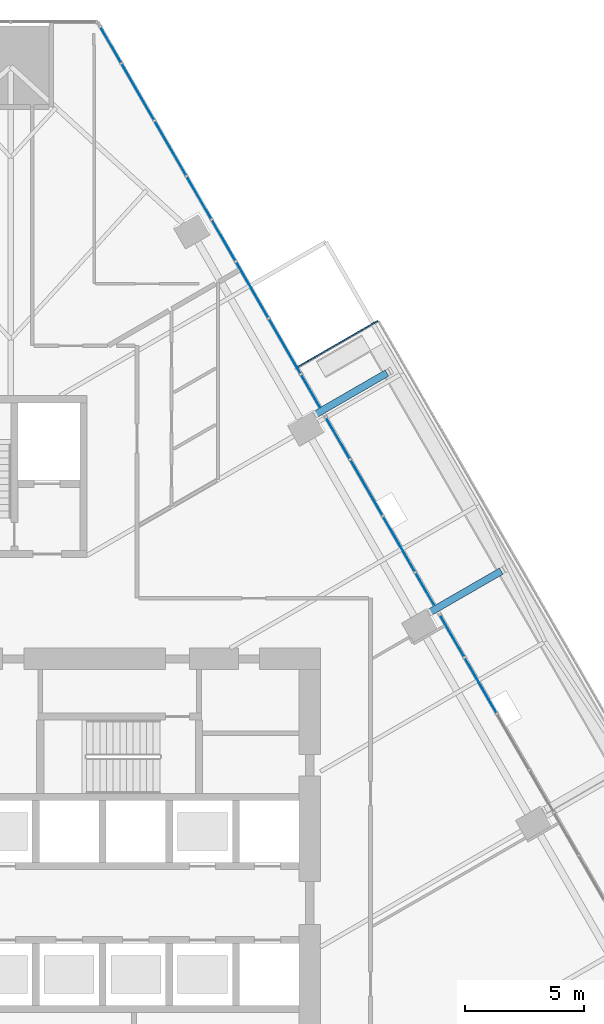
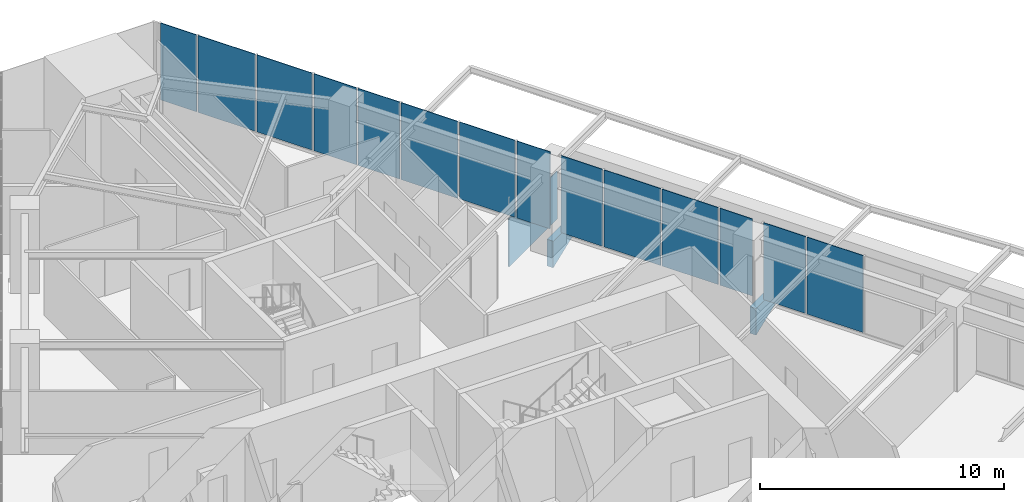
# One storey, part 18 of 29: 17 plates, 1 element without a shape of its own.
"""IFC4 building model written with IfcOpenShell, lengths in metres."""

from ifc_helpers import new_model, si_unit, direction, frame, origin, place, context, subcontext, project, spatial, polyline, outline, extrude, material, layer, layer_set, type_object, element, aggregate, save


model = new_model("IFC4")

# Units and contexts
model_context = context("Model", 3, precision=1e-05, world=origin(), true_north=direction((0.0, 1.0)))
body_context = subcontext(model_context, "Body", "Model", "MODEL_VIEW")
ifc_project = project(units=[si_unit("LENGTHUNIT", "METRE"), si_unit("AREAUNIT", "SQUARE_METRE"), si_unit("VOLUMEUNIT", "CUBIC_METRE"), si_unit("PLANEANGLEUNIT", "RADIAN"), si_unit("MASSUNIT", "GRAM", prefix="KILO")], contexts=[model_context])

# Site, building, storey
site_placement = place(None, origin())
site = spatial("IfcSite", under=ifc_project, at=site_placement, CompositionType="ELEMENT")
building_placement = place(site_placement, origin())
building = spatial("IfcBuilding", under=site, at=building_placement, Name="Firuza Gate Tower and Library", CompositionType="ELEMENT")
storey_placement = place(building_placement, frame((0.0, 0.0, 48.39990234375)))
storey = spatial("IfcBuildingStorey", under=building, at=storey_placement, Name="L10", CompositionType="ELEMENT", Elevation=48.39990234375)

# Curtain wall, plates
ifc_material_1 = material(Name="Aluminium 6063-T6", Category="aluminium")
ifc_layer_1 = layer(ifc_material_1, 0.14990234375)
ifc_layer_set_1 = layer_set([ifc_layer_1], Name="Unitised curtain wall, offices")
curtain_wall_type = type_object("IfcCurtainWallType", Name="Unitised curtain wall, offices", PredefinedType="NOTDEFINED", material=ifc_layer_set_1)
curtain_wall_placement = place(storey_placement, origin())
curtain_wall = element("IfcCurtainWall", 1, at=curtain_wall_placement, inside=storey, type_object=curtain_wall_type, Name="CW1 L10 E face", PredefinedType="NOTDEFINED")
ifc_material_2 = material(Name="Fritted glass", Category="glass")
ifc_layer_2 = layer(ifc_material_2, 0.030029296875)
ifc_layer_set_2 = layer_set([ifc_layer_2], Name="Fritted glass unit, offices")
plate_type_1 = type_object("IfcPlateType", Name="Fritted glass unit, offices", PredefinedType="CURTAIN_PANEL", material=ifc_layer_set_2)
plate_1_placement = place(storey_placement, frame((94.0419921875, 83.654296875, 0.150146484375), z_axis=(0.865995203459, 0.50005230485, 0.0), x_axis=(-0.50005230485, 0.865995203459, 0.0)))
plate_1 = element("IfcPlate", 2, at=plate_1_placement, type_object=plate_type_1, Name="Glass unit", PredefinedType="CURTAIN_PANEL", context=body_context, shape_type="SweptSolid", body=[
    extrude(outline(polyline([(0.0, 0.0), (1.9861203575437747, 0.0), (1.9861203575437747, 3.849853515625001), (0.0, 3.849853515625001), (0.0, 0.0)])), origin(), (0.0, 0.0, -1.0), 0.030029296875),
])
plate_2_placement = place(storey_placement, frame((92.78515625, 85.830810546875, 0.150146484375), z_axis=(0.866008581825, 0.500029135357, 0.0), x_axis=(-0.500029135357, 0.866008581825, 0.0)))
plate_2 = element("IfcPlate", 3, at=plate_2_placement, type_object=plate_type_1, Name="Glass unit", PredefinedType="CURTAIN_PANEL", context=body_context, shape_type="SweptSolid", body=[
    extrude(outline(polyline([(0.0, 0.0), (1.5389728229557191, 0.0), (1.5389728229557191, 3.849853515625), (0.0, 3.849853515625), (0.0, 0.0)])), origin(), (0.0, 0.0, -1.0), 0.030029296875),
])
plate_3_placement = place(storey_placement, frame((89.241943359375, 91.968017578125, 0.150146484375), z_axis=(0.866051307416, 0.49995513091, 0.0), x_axis=(-0.49995513091, 0.866051307416, 0.0)))
plate_3 = element("IfcPlate", 4, at=plate_3_placement, type_object=plate_type_1, Name="Glass unit", PredefinedType="CURTAIN_PANEL", context=body_context, shape_type="SweptSolid", body=[
    extrude(outline(polyline([(0.0, 0.0), (1.9679500377533197, 0.0), (1.9679500377533197, 3.849853515625), (0.0, 3.849853515625), (0.0, 0.0)])), origin(), (0.0, 0.0, -1.0), 0.030029296875),
])
plate_4_placement = place(storey_placement, frame((88.001708984375, 94.1162109375, 0.150146484375), z_axis=(0.865978668822, 0.500080938595, 0.0), x_axis=(-0.500080938595, 0.865978668822, 0.0)))
plate_4 = element("IfcPlate", 5, at=plate_4_placement, type_object=plate_type_1, Name="Glass unit", PredefinedType="CURTAIN_PANEL", context=body_context, shape_type="SweptSolid", body=[
    extrude(outline(polyline([(0.0, 0.0), (1.5720111522521638, 0.0), (1.5720111522521638, 3.849853515625), (0.0, 3.849853515625), (0.0, 0.0)])), origin(), (0.0, 0.0, -1.0), 0.030029296875),
])
plate_5_placement = place(storey_placement, frame((84.44189453125, 100.281982421875, 0.150146484375), z_axis=(0.86599162392, 0.500058503878, 0.0), x_axis=(-0.500058503878, 0.86599162392, 0.0)))
plate_5 = element("IfcPlate", 6, at=plate_5_placement, type_object=plate_type_1, Name="Glass unit", PredefinedType="CURTAIN_PANEL", context=body_context, shape_type="SweptSolid", body=[
    extrude(outline(polyline([(0.0, 0.0), (1.949478927097277, 0.0), (1.949478927097277, 3.849853515625), (0.0, 3.849853515625), (0.0, 0.0)])), origin(), (0.0, 0.0, -1.0), 0.030029296875),
])
plate_6_placement = place(storey_placement, frame((83.427001953125, 102.03955078125, 0.150146484375), z_axis=(0.866050918118, 0.499955805274, 0.0), x_axis=(-0.499955805274, 0.866050918118, 0.0)))
plate_6 = element("IfcPlate", 7, at=plate_6_placement, type_object=plate_type_1, Name="Glass unit", PredefinedType="CURTAIN_PANEL", context=body_context, shape_type="SweptSolid", body=[
    extrude(outline(polyline([(0.0, 0.0), (2.0226397175148216, 0.0), (2.0226397175148216, 3.849853515625), (0.0, 3.849853515625), (0.0, 0.0)])), origin(), (0.0, 0.0, -1.0), 0.030029296875),
])
plate_7_placement = place(storey_placement, frame((79.641845703125, 108.595703125, 0.150146484375), z_axis=(0.866022790583, 0.50000452617, 0.0), x_axis=(-0.50000452617, 0.866022790583, 0.0)))
plate_7 = element("IfcPlate", 8, at=plate_7_placement, type_object=plate_type_1, Name="Glass unit", PredefinedType="CURTAIN_PANEL", context=body_context, shape_type="SweptSolid", body=[
    extrude(outline(polyline([(0.0, 0.0), (1.6982268145733541, 0.0), (1.6982268145733541, 3.849853515625), (0.0, 3.849853515625), (0.0, 0.0)])), origin(), (0.0, 0.0, -1.0), 0.030029296875),
])
ifc_material_3 = material(Name="Glazed ceramic tile")
ifc_layer_3 = layer(ifc_material_3, 0.030029296875)
ifc_layer_set_3 = layer_set([ifc_layer_3], Name="Opaque ceramic panel, offices")
plate_type_2 = type_object("IfcPlateType", Name="Opaque ceramic panel, offices", PredefinedType="CURTAIN_PANEL", material=ifc_layer_set_3)
plate_8_placement = place(storey_placement, frame((95.404296875, 81.294677734375, 0.150146484375), z_axis=(0.865990340526, 0.500060726429, 0.0), x_axis=(-0.500060726429, 0.865990340526, 0.0)))
plate_8 = element("IfcPlate", 9, at=plate_8_placement, type_object=plate_type_2, Name="Opaque ceramic panel", PredefinedType="CURTAIN_PANEL", context=body_context, shape_type="SweptSolid", body=[
    extrude(outline(polyline([(0.0, 0.0), (2.64469832508171, 0.0), (2.64469832508171, 3.849853515625), (0.0, 3.849853515625), (0.0, 0.0)])), origin(), (0.0, 0.0, -1.0), 0.030029296875),
])
plate_9_placement = place(storey_placement, frame((91.9755859375, 87.23291015625, 0.150146484375), z_axis=(0.866030315638, 0.499991492324, 0.0), x_axis=(-0.499991492324, 0.866030315638, 0.0)))
plate_9 = element("IfcPlate", 10, at=plate_9_placement, type_object=plate_type_2, Name="Opaque ceramic panel", PredefinedType="CURTAIN_PANEL", context=body_context, shape_type="SweptSolid", body=[
    extrude(outline(polyline([(0.0, 0.0), (2.6445762483946558, 0.0), (2.6445762483946558, 3.849853515625), (0.0, 3.849853515625), (0.0, 0.0)])), origin(), (0.0, 0.0, -1.0), 0.030029296875),
])
plate_10_placement = place(storey_placement, frame((90.61328125, 89.592529296875, 0.150146484375), z_axis=(0.86605123349, 0.499955258969, 0.0), x_axis=(-0.499955258969, 0.86605123349, 0.0)))
plate_10 = element("IfcPlate", 11, at=plate_10_placement, type_object=plate_type_2, Name="Opaque ceramic panel", PredefinedType="CURTAIN_PANEL", context=body_context, shape_type="SweptSolid", body=[
    extrude(outline(polyline([(0.0, 0.0), (2.6628359323004895, 0.0), (2.6628359323004895, 3.849853515625), (0.0, 3.849853515625), (0.0, 0.0)])), origin(), (0.0, 0.0, -1.0), 0.030029296875),
])
plate_11_placement = place(storey_placement, frame((87.17578125, 95.546875, 0.150146484375), z_axis=(0.866009105372, 0.500028228617, 0.0), x_axis=(-0.500028228617, 0.866009105372, 0.0)))
plate_11 = element("IfcPlate", 12, at=plate_11_placement, type_object=plate_type_2, Name="Opaque ceramic panel", PredefinedType="CURTAIN_PANEL", context=body_context, shape_type="SweptSolid", body=[
    extrude(outline(polyline([(0.0, 0.0), (2.62631656918229, 0.0), (2.62631656918229, 3.849853515625), (0.0, 3.849853515625), (0.0, 0.0)])), origin(), (0.0, 0.0, -1.0), 0.030029296875),
])
plate_12_placement = place(storey_placement, frame((85.822509765625, 97.890625, 0.150146484375), z_axis=(0.866032438121, 0.499987815973, 0.0), x_axis=(-0.499987815973, 0.866032438121, 0.0)))
plate_12 = element("IfcPlate", 13, at=plate_12_placement, type_object=plate_type_2, Name="Opaque ceramic panel", PredefinedType="CURTAIN_PANEL", context=body_context, shape_type="SweptSolid", body=[
    extrude(outline(polyline([(0.0, 0.0), (2.6812176798048513, 0.0), (2.6812176798048513, 3.849853515625), (0.0, 3.849853515625), (0.0, 0.0)])), origin(), (0.0, 0.0, -1.0), 0.030029296875),
])
plate_13_placement = place(storey_placement, frame((82.375732421875, 103.860595703125, 0.150146484375), z_axis=(0.866028133496, 0.499995271971, 0.0), x_axis=(-0.499995271971, 0.866028133496, 0.0)))
plate_13 = element("IfcPlate", 14, at=plate_13_placement, type_object=plate_type_2, Name="Opaque ceramic panel", PredefinedType="CURTAIN_PANEL", context=body_context, shape_type="SweptSolid", body=[
    extrude(outline(polyline([(0.0, 0.0), (2.607934817033456, 0.0), (2.607934817033456, 3.849853515625001), (0.0, 3.849853515625001), (0.0, 0.0)])), origin(), (0.0, 0.0, -1.0), 0.030029296875),
])
plate_14_placement = place(storey_placement, frame((81.03173828125, 106.1884765625, 0.150146484375), z_axis=(0.866013897511, 0.50001992892, 0.0), x_axis=(-0.50001992892, 0.866013897511, 0.0)))
plate_14 = element("IfcPlate", 15, at=plate_14_placement, type_object=plate_type_2, Name="Opaque ceramic panel", PredefinedType="CURTAIN_PANEL", context=body_context, shape_type="SweptSolid", body=[
    extrude(outline(polyline([(0.0, 0.0), (2.699599431046774, 0.0), (2.699599431046774, 3.849853515625), (0.0, 3.849853515625), (0.0, 0.0)])), origin(), (0.0, 0.0, -1.0), 0.030029296875),
])
aggregate(curtain_wall, [plate_8, plate_1, plate_2, plate_9, plate_10, plate_3, plate_4, plate_11, plate_12, plate_5, plate_6, plate_13, plate_14, plate_7])

# Plates
ifc_material_4 = material(Name="Steel S355", Category="steel")
ifc_layer_4 = layer(ifc_material_4, 0.300048828125)
ifc_layer_set_4 = layer_set([ifc_layer_4], Name="Tray bracket web 300 Steel S355")
plate_type_3 = type_object("IfcPlateType", Name="Tray bracket web 300 Steel S355", PredefinedType="SHEET", material=ifc_layer_set_4)
plate_15_placement = place(storey_placement, frame((92.5458984375, 85.64990234375, -0.199951171875), z_axis=(-0.499837493736, 0.866119206493, 0.0), x_axis=(0.866119206493, 0.499837493736, 0.0)))
element("IfcPlate", 16, at=plate_15_placement, inside=storey, type_object=plate_type_3, Name="Tray bracket web L10 col:L09:E3", PredefinedType="SHEET", context=body_context, shape_type="SweptSolid", body=[
    extrude(outline(polyline([(0.0, 0.0), (3.4293372338163666, 0.0), (0.0, 1.333984375), (0.0, 0.0)])), origin(), (0.0, 0.0, -1.0), 0.300048828125),
])
plate_16_placement = place(storey_placement, frame((87.74609375, 93.962890625, -0.199951171875), z_axis=(-0.500081895979, 0.865978115955, 0.0), x_axis=(0.865978115955, 0.500081895979, 0.0)))
element("IfcPlate", 17, at=plate_16_placement, inside=storey, type_object=plate_type_3, Name="Tray bracket web L10 col:L09:E4", PredefinedType="SHEET", context=body_context, shape_type="SweptSolid", body=[
    extrude(outline(polyline([(0.0, 0.0), (3.429614038049955, 0.0), (0.0, 1.333984375), (0.0, 0.0)])), origin(), (0.0, 0.0, -1.0), 0.300048828125),
])
ifc_material_5 = material(Name="Aluminium 6063-T6", Category="aluminium")
ifc_layer_5 = layer(ifc_material_5, 0.050048828125)
ifc_layer_set_5 = layer_set([ifc_layer_5], Name="Tray fascia panel 50")
plate_type_4 = type_object("IfcPlateType", Name="Tray fascia panel 50", PredefinedType="SHEET", material=ifc_layer_set_5)
plate_17_placement = place(storey_placement, frame((90.3798828125, 97.756103515625, -2.39990234375), z_axis=(-0.500071104525, 0.865984347675, 0.0), x_axis=(-0.865984347675, -0.500071104525, 0.0)))
element("IfcPlate", 18, at=plate_17_placement, inside=storey, type_object=plate_type_4, Name="Tray fascia L10 4", PredefinedType="SHEET", context=body_context, shape_type="SweptSolid", body=[
    extrude(outline(polyline([(0.0, 0.0), (3.9398694024129295, 0.0), (3.9398694024129295, 2.3999023437500004), (0.0, 2.3999023437500004), (0.0, 0.0)])), origin(), (0.0, 0.0, -1.0), 0.050048828125),
])

save(model, "model.ifc")
